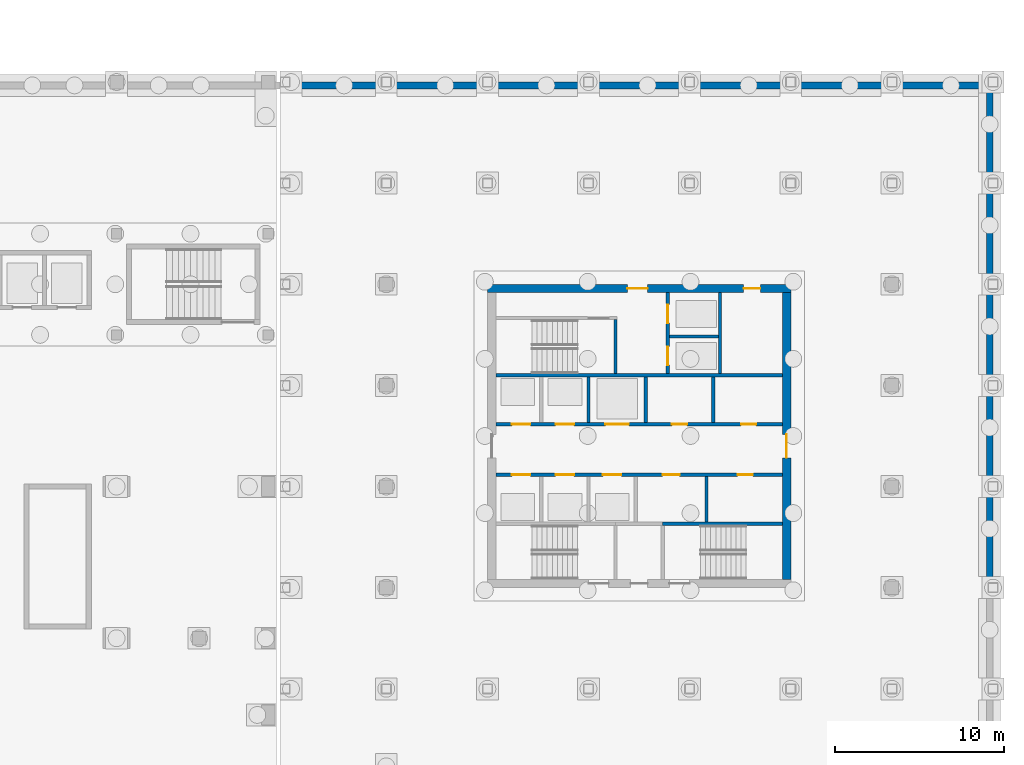
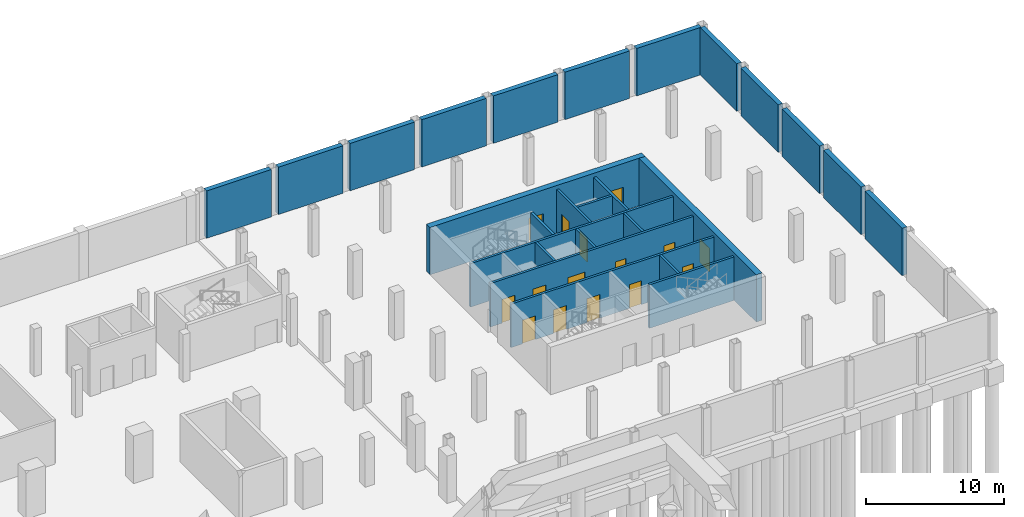
# One storey, part 17 of 29: 26 walls, 15 doors, 15 openings.
"""IFC4 building model written with IfcOpenShell, lengths in metres."""

from ifc_helpers import new_model, si_unit, direction, frame, frame_2d, origin, place, context, subcontext, project, spatial, rectangle, extrude, material, layer, layer_set, type_object, element, fill, save


model = new_model("IFC4")

# Units and contexts
model_context = context("Model", 3, precision=1e-05, world=origin(), true_north=direction((0.0, 1.0)))
body_context = subcontext(model_context, "Body", "Model", "MODEL_VIEW")
ifc_project = project(units=[si_unit("LENGTHUNIT", "METRE"), si_unit("AREAUNIT", "SQUARE_METRE"), si_unit("VOLUMEUNIT", "CUBIC_METRE"), si_unit("PLANEANGLEUNIT", "RADIAN"), si_unit("MASSUNIT", "GRAM", prefix="KILO")], contexts=[model_context])

# Site, building, storey
site_placement = place(None, origin())
site = spatial("IfcSite", under=ifc_project, at=site_placement, CompositionType="ELEMENT")
building_placement = place(site_placement, origin())
building = spatial("IfcBuilding", under=site, at=building_placement, Name="Aravalli Gate Trade Fair Centre", CompositionType="ELEMENT")
storey_placement = place(building_placement, frame((0.0, 0.0, -8.39990234375)))
storey = spatial("IfcBuildingStorey", under=building, at=storey_placement, Name="B2", CompositionType="ELEMENT", Elevation=-8.39990234375)

# Walls
ifc_material_1 = material(Name="Concrete M40", Category="concrete")
ifc_layer_1 = layer(ifc_material_1, 0.39990234375)
ifc_layer_set_1 = layer_set([ifc_layer_1], Name="Concrete M40")
wall_type_1 = type_object("IfcWallType", Name="Basement retaining wall 400", PredefinedType="SOLIDWALL", material=ifc_layer_set_1)
for number, where, z_axis, x_axis, name in (
    (1, (201.800048828125, 103.300048828125, 0.0), (0.0, 0.0, 1.0), (0.0, 1.0, 0.0), "Retaining wall E203 B2"),
    (2, (201.800048828125, 109.300048828125, 0.0), (0.0, 0.0, 1.0), (0.0, 1.0, 0.0), "Retaining wall E204 B2"),
    (3, (201.800048828125, 115.300048828125, 0.0), (0.0, 0.0, 1.0), (0.0, 1.0, 0.0), "Retaining wall E205 B2"),
    (4, (201.800048828125, 121.300048828125, 0.0), (0.0, 0.0, 1.0), (0.0, 1.0, 0.0), "Retaining wall E206 B2"),
):
    element("IfcWall", number, at=place(storey_placement, frame(where, z_axis=z_axis, x_axis=x_axis)), inside=storey, type_object=wall_type_1, Name=name, PredefinedType="SOLIDWALL", context=body_context, shape_type="SweptSolid", body=[
        extrude(rectangle(XDim=5.39990234375, YDim=0.39990234375, at=frame_2d((2.699951171875, 0.0))), origin(), (0.0, 0.0, 1.0), 4.199951171875),
    ])
wall_1_placement = place(storey_placement, frame((201.800048828125, 127.300048828125, 0.0), z_axis=(0.0, 0.0, 1.0), x_axis=(0.0, 1.0, 0.0)))
element("IfcWall", 5, at=wall_1_placement, inside=storey, type_object=wall_type_1, Name="Retaining wall E207 B2", PredefinedType="SOLIDWALL", context=body_context, shape_type="SweptSolid", body=[
    extrude(rectangle(XDim=5.300048828125, YDim=0.39990234375, at=frame_2d((2.64990234375, 0.0))), origin(), (0.0, 0.0, 1.0), 4.199951171875),
])
for number, where, z_axis, x_axis, name in (
    (6, (160.300048828125, 132.800048828125, 0.0), (0.0, 0.0, 1.0), (1.0, 0.0, 0.0), "Retaining wall N19 B2"),
    (7, (166.300048828125, 132.800048828125, 0.0), (0.0, 0.0, 1.0), (1.0, 0.0, 0.0), "Retaining wall N20 B2"),
    (8, (172.300048828125, 132.800048828125, 0.0), (0.0, 0.0, 1.0), (1.0, 0.0, 0.0), "Retaining wall N21 B2"),
    (9, (178.300048828125, 132.800048828125, 0.0), (0.0, 0.0, 1.0), (1.0, 0.0, 0.0), "Retaining wall N22 B2"),
    (10, (184.300048828125, 132.800048828125, 0.0), (0.0, 0.0, 1.0), (1.0, 0.0, 0.0), "Retaining wall N23 B2"),
    (11, (190.300048828125, 132.800048828125, 0.0), (0.0, 0.0, 1.0), (1.0, 0.0, 0.0), "Retaining wall N24 B2"),
    (12, (196.300048828125, 132.800048828125, 0.0), (0.0, 0.0, 1.0), (1.0, 0.0, 0.0), "Retaining wall N25 B2"),
):
    element("IfcWall", number, at=place(storey_placement, frame(where, z_axis=z_axis, x_axis=x_axis)), inside=storey, type_object=wall_type_1, Name=name, PredefinedType="SOLIDWALL", context=body_context, shape_type="SweptSolid", body=[
        extrude(rectangle(XDim=5.39990234375, YDim=0.39990234375, at=frame_2d((2.699951171875, 0.0))), origin(), (0.0, 0.0, 1.0), 4.199951171875),
    ])
ifc_material_2 = material(Name="Concrete M30", Category="concrete")
ifc_layer_2 = layer(ifc_material_2, 0.199951171875)
ifc_layer_set_2 = layer_set([ifc_layer_2], Name="Concrete M30")
wall_type_2 = type_object("IfcWallType", Name="Wing core internal wall 200 (EI 120, core wall)", PredefinedType="SOLIDWALL", material=ifc_layer_set_2)
wall_2_placement = place(storey_placement, frame((172.5, 115.60009765625, 0.0), z_axis=(0.0, 0.0, 1.0), x_axis=(1.0, 0.0, 0.0)))
element("IfcWall", 13, at=wall_2_placement, inside=storey, type_object=wall_type_2, Name="Core wall N-REAR B2", PredefinedType="SOLIDWALL", context=body_context, shape_type="SweptSolid", body=[
    extrude(rectangle(XDim=17.0, YDim=0.199951171875, at=frame_2d((8.5, 0.0))), origin(), (0.0, 0.0, 1.0), 3.849853515625),
])
ifc_layer_3 = layer(ifc_material_2, 0.199951171875)
ifc_layer_set_3 = layer_set([ifc_layer_3], Name="Concrete M30")
wall_type_3 = type_object("IfcWallType", Name="Wing core internal wall 200 (EI 120, firefighting shaft)", PredefinedType="SOLIDWALL", material=ifc_layer_set_3)
wall_3_placement = place(storey_placement, frame((179.60009765625, 115.699951171875, 0.0), z_axis=(0.0, 0.0, 1.0), x_axis=(0.0, 1.0, 0.0)))
element("IfcWall", 14, at=wall_3_placement, inside=storey, type_object=wall_type_3, Name="Core wall FF-AB B2", PredefinedType="SOLIDWALL", context=body_context, shape_type="SweptSolid", body=[
    extrude(rectangle(XDim=3.199951171875, YDim=0.199951171875, at=frame_2d((1.60009765625, 0.0))), origin(), (0.0, 0.0, 1.0), 3.849853515625),
])

# Wall, openings, doors
wall_4_placement = place(storey_placement, frame((182.699951171875, 115.699951171875, 0.0), z_axis=(0.0, 0.0, 1.0), x_axis=(0.0, 1.0, 0.0)))
wall_4 = element("IfcWall", 15, at=wall_4_placement, inside=storey, type_object=wall_type_3, Name="Core wall FF-BC B2", PredefinedType="SOLIDWALL", context=body_context, shape_type="SweptSolid", body=[
    extrude(rectangle(XDim=4.800048828125, YDim=0.199951171875, at=frame_2d((2.39990234375, 0.0))), origin(), (0.0, 0.0, 1.0), 3.849853515625),
])
opening_1_placement = place(wall_4_placement, frame((0.5, 0.0, 0.0)))
opening_1 = element("IfcOpeningElement", 16, at=opening_1_placement, cuts=wall_4, Name="Opening T-B2-132", PredefinedType="OPENING", context=body_context, shape_type="SweptSolid", body=[
    extrude(rectangle(XDim=1.10009765625, YDim=2.10009765625, at=frame_2d((0.550048828125, 1.050048828125))), frame((0.0, 0.10986328125, 0.0), z_axis=(0.0, -1.0, 0.0), x_axis=(1.0, 0.0, 0.0)), (0.0, 0.0, 1.0), 0.219970703125),
])
opening_2_placement = place(wall_4_placement, frame((3.0, 0.0, 0.0)))
opening_2 = element("IfcOpeningElement", 17, at=opening_2_placement, cuts=wall_4, Name="Opening T-B2-133", PredefinedType="OPENING", context=body_context, shape_type="SweptSolid", body=[
    extrude(rectangle(XDim=1.10009765625, YDim=2.10009765625, at=frame_2d((0.550048828125, 1.050048828125))), frame((0.0, 0.10986328125, 0.0), z_axis=(0.0, -1.0, 0.0), x_axis=(1.0, 0.0, 0.0)), (0.0, 0.0, 1.0), 0.219970703125),
])
ifc_material_3 = material(Name="Elevator door panels")
door_type_1 = type_object("IfcDoorType", Name="Wing lift landing door 1100 x 2100", OperationType="SLIDING_TO_LEFT", PredefinedType="DOOR", material=ifc_material_3)
door_1_placement = place(opening_1_placement, origin())
door_1 = element("IfcDoor", 18, at=door_1_placement, inside=storey, type_object=door_type_1, Name="Landing door T-B2-132", OperationType="SLIDING_TO_LEFT", OverallHeight=2.10009765625, OverallWidth=1.10009765625, PredefinedType="DOOR", context=body_context, shape_type="SweptSolid", body=[
    extrude(rectangle(XDim=1.10009765625, YDim=2.10009765625, at=frame_2d((0.550048828125, 1.050048828125))), frame((0.0, 0.02490234375, 0.0), z_axis=(0.0, -1.0, 0.0), x_axis=(1.0, 0.0, 0.0)), (0.0, 0.0, 1.0), 0.050048828125),
])
fill(opening_1, door_1)
door_2_placement = place(opening_2_placement, origin())
door_2 = element("IfcDoor", 19, at=door_2_placement, inside=storey, type_object=door_type_1, Name="Landing door T-B2-133", OperationType="SLIDING_TO_LEFT", OverallHeight=2.10009765625, OverallWidth=1.10009765625, PredefinedType="DOOR", context=body_context, shape_type="SweptSolid", body=[
    extrude(rectangle(XDim=1.10009765625, YDim=2.10009765625, at=frame_2d((0.550048828125, 1.050048828125))), frame((0.0, 0.02490234375, 0.0), z_axis=(0.0, -1.0, 0.0), x_axis=(1.0, 0.0, 0.0)), (0.0, 0.0, 1.0), 0.050048828125),
])
fill(opening_2, door_2)

# Walls
wall_5_placement = place(storey_placement, frame((182.800048828125, 117.89990234375, 0.0), z_axis=(0.0, 0.0, 1.0), x_axis=(1.0, 0.0, 0.0)))
element("IfcWall", 20, at=wall_5_placement, inside=storey, type_object=wall_type_3, Name="Core wall FF-MID B2", PredefinedType="SOLIDWALL", context=body_context, shape_type="SweptSolid", body=[
    extrude(rectangle(XDim=2.89990234375, YDim=0.199951171875, at=frame_2d((1.449951171875, 0.0))), origin(), (0.0, 0.0, 1.0), 3.849853515625),
])
wall_6_placement = place(storey_placement, frame((185.800048828125, 115.699951171875, 0.0), z_axis=(0.0, 0.0, 1.0), x_axis=(0.0, 1.0, 0.0)))
element("IfcWall", 21, at=wall_6_placement, inside=storey, type_object=wall_type_3, Name="Core wall FF-CD B2", PredefinedType="SOLIDWALL", context=body_context, shape_type="SweptSolid", body=[
    extrude(rectangle(XDim=4.800048828125, YDim=0.199951171875, at=frame_2d((2.39990234375, 0.0))), origin(), (0.0, 0.0, 1.0), 3.849853515625),
])
ifc_layer_4 = layer(ifc_material_2, 0.199951171875)
ifc_layer_set_4 = layer_set([ifc_layer_4], Name="Concrete M30")
wall_type_4 = type_object("IfcWallType", Name="Wing core internal wall 200 (EI 120, lift shaft)", PredefinedType="SOLIDWALL", material=ifc_layer_set_4)
wall_7_placement = place(storey_placement, frame((182.39990234375, 106.800048828125, 0.0), z_axis=(0.0, 0.0, 1.0), x_axis=(1.0, 0.0, 0.0)))
element("IfcWall", 22, at=wall_7_placement, inside=storey, type_object=wall_type_4, Name="Core wall S-REAR-E B2", PredefinedType="SOLIDWALL", context=body_context, shape_type="SweptSolid", body=[
    extrude(rectangle(XDim=7.10009765625, YDim=0.199951171875, at=frame_2d((3.550048828125, 0.0))), origin(), (0.0, 0.0, 1.0), 3.849853515625),
])

# Wall, openings, doors
wall_8_placement = place(storey_placement, frame((172.5, 109.699951171875, 0.0), z_axis=(0.0, 0.0, 1.0), x_axis=(1.0, 0.0, 0.0)))
wall_8 = element("IfcWall", 23, at=wall_8_placement, inside=storey, type_object=wall_type_4, Name="Core wall S-FRONT B2", PredefinedType="SOLIDWALL", context=body_context, shape_type="SweptSolid", body=[
    extrude(rectangle(XDim=17.0, YDim=0.199951171875, at=frame_2d((8.5, 0.0))), origin(), (0.0, 0.0, 1.0), 3.849853515625),
])
opening_3_placement = place(wall_8_placement, frame((0.949951171875, 0.0, 0.0)))
opening_3 = element("IfcOpeningElement", 24, at=opening_3_placement, cuts=wall_8, Name="Opening T-B2-111", PredefinedType="OPENING", context=body_context, shape_type="SweptSolid", body=[
    extrude(rectangle(XDim=1.10009765625, YDim=2.10009765625, at=frame_2d((0.550048828125, 1.050048828125))), frame((0.0, 0.10986328125, 0.0), z_axis=(0.0, -1.0, 0.0), x_axis=(1.0, 0.0, 0.0)), (0.0, 0.0, 1.0), 0.219970703125),
])
opening_4_placement = place(wall_8_placement, frame((3.550048828125, 0.0, 0.0)))
opening_4 = element("IfcOpeningElement", 25, at=opening_4_placement, cuts=wall_8, Name="Opening T-B2-112", PredefinedType="OPENING", context=body_context, shape_type="SweptSolid", body=[
    extrude(rectangle(XDim=1.10009765625, YDim=2.10009765625, at=frame_2d((0.550048828125, 1.050048828125))), frame((0.0, 0.10986328125, 0.0), z_axis=(0.0, -1.0, 0.0), x_axis=(1.0, 0.0, 0.0)), (0.0, 0.0, 1.0), 0.219970703125),
])
opening_5_placement = place(wall_8_placement, frame((6.35009765625, 0.0, 0.0)))
opening_5 = element("IfcOpeningElement", 26, at=opening_5_placement, cuts=wall_8, Name="Opening T-B2-113", PredefinedType="OPENING", context=body_context, shape_type="SweptSolid", body=[
    extrude(rectangle(XDim=1.10009765625, YDim=2.10009765625, at=frame_2d((0.550048828125, 1.050048828125))), frame((0.0, 0.10986328125, 0.0), z_axis=(0.0, -1.0, 0.0), x_axis=(1.0, 0.0, 0.0)), (0.0, 0.0, 1.0), 0.219970703125),
])
opening_6_placement = place(wall_8_placement, frame((9.89990234375, 0.0, 0.0)))
opening_6 = element("IfcOpeningElement", 27, at=opening_6_placement, cuts=wall_8, Name="Opening T-B2-114", PredefinedType="OPENING", context=body_context, shape_type="SweptSolid", body=[
    extrude(rectangle(XDim=1.0, YDim=2.10009765625, at=frame_2d((0.5, 1.050048828125))), frame((0.0, 0.10986328125, 0.0), z_axis=(0.0, -1.0, 0.0), x_axis=(1.0, 0.0, 0.0)), (0.0, 0.0, 1.0), 0.219970703125),
])
opening_7_placement = place(wall_8_placement, frame((14.35009765625, 0.0, 0.0)))
opening_7 = element("IfcOpeningElement", 28, at=opening_7_placement, cuts=wall_8, Name="Opening T-B2-115", PredefinedType="OPENING", context=body_context, shape_type="SweptSolid", body=[
    extrude(rectangle(XDim=0.89990234375, YDim=2.10009765625, at=frame_2d((0.449951171875, 1.050048828125))), frame((0.0, 0.10986328125, 0.0), z_axis=(0.0, -1.0, 0.0), x_axis=(1.0, 0.0, 0.0)), (0.0, 0.0, 1.0), 0.219970703125),
])
ifc_material_4 = material(Name="Steel, fire rated", Category="steel")
door_type_2 = type_object("IfcDoorType", Name="Wing fire door FD120 1000 x 2100", OperationType="SINGLE_SWING_LEFT", PredefinedType="DOOR", material=ifc_material_4)
door_3_placement = place(opening_6_placement, frame((1.0, 0.0, 0.0), z_axis=(0.0, 0.0, 1.0), x_axis=(-1.0, 0.0, 0.0)))
door_3 = element("IfcDoor", 29, at=door_3_placement, inside=storey, type_object=door_type_2, Name="Core door T-B2-114", OperationType="SINGLE_SWING_RIGHT", OverallHeight=2.10009765625, OverallWidth=1.0, PredefinedType="DOOR", context=body_context, shape_type="SweptSolid", body=[
    extrude(rectangle(XDim=1.0, YDim=2.10009765625, at=frame_2d((0.5, 1.050048828125))), frame((0.0, 0.02490234375, 0.0), z_axis=(0.0, -1.0, 0.0), x_axis=(1.0, 0.0, 0.0)), (0.0, 0.0, 1.0), 0.050048828125),
])
fill(opening_6, door_3)
door_type_3 = type_object("IfcDoorType", Name="Wing fire door FD120 900 x 2100", OperationType="SINGLE_SWING_LEFT", PredefinedType="DOOR", material=ifc_material_4)
door_4_placement = place(opening_7_placement, frame((0.89990234375, 0.0, 0.0), z_axis=(0.0, 0.0, 1.0), x_axis=(-1.0, 0.0, 0.0)))
door_4 = element("IfcDoor", 30, at=door_4_placement, inside=storey, type_object=door_type_3, Name="Core door T-B2-115", OperationType="SINGLE_SWING_LEFT", OverallHeight=2.10009765625, OverallWidth=0.89990234375, PredefinedType="DOOR", context=body_context, shape_type="SweptSolid", body=[
    extrude(rectangle(XDim=0.89990234375, YDim=2.10009765625, at=frame_2d((0.449951171875, 1.050048828125))), frame((0.0, 0.02490234375, 0.0), z_axis=(0.0, -1.0, 0.0), x_axis=(1.0, 0.0, 0.0)), (0.0, 0.0, 1.0), 0.050048828125),
])
fill(opening_7, door_4)
door_5_placement = place(opening_3_placement, origin())
door_5 = element("IfcDoor", 31, at=door_5_placement, inside=storey, type_object=door_type_1, Name="Landing door T-B2-111", OperationType="SLIDING_TO_LEFT", OverallHeight=2.10009765625, OverallWidth=1.10009765625, PredefinedType="DOOR", context=body_context, shape_type="SweptSolid", body=[
    extrude(rectangle(XDim=1.10009765625, YDim=2.10009765625, at=frame_2d((0.550048828125, 1.050048828125))), frame((0.0, 0.02490234375, 0.0), z_axis=(0.0, -1.0, 0.0), x_axis=(1.0, 0.0, 0.0)), (0.0, 0.0, 1.0), 0.050048828125),
])
fill(opening_3, door_5)
door_6_placement = place(opening_4_placement, origin())
door_6 = element("IfcDoor", 32, at=door_6_placement, inside=storey, type_object=door_type_1, Name="Landing door T-B2-112", OperationType="SLIDING_TO_LEFT", OverallHeight=2.10009765625, OverallWidth=1.10009765625, PredefinedType="DOOR", context=body_context, shape_type="SweptSolid", body=[
    extrude(rectangle(XDim=1.10009765625, YDim=2.10009765625, at=frame_2d((0.550048828125, 1.050048828125))), frame((0.0, 0.02490234375, 0.0), z_axis=(0.0, -1.0, 0.0), x_axis=(1.0, 0.0, 0.0)), (0.0, 0.0, 1.0), 0.050048828125),
])
fill(opening_4, door_6)
door_7_placement = place(opening_5_placement, origin())
door_7 = element("IfcDoor", 33, at=door_7_placement, inside=storey, type_object=door_type_1, Name="Landing door T-B2-113", OperationType="SLIDING_TO_LEFT", OverallHeight=2.10009765625, OverallWidth=1.10009765625, PredefinedType="DOOR", context=body_context, shape_type="SweptSolid", body=[
    extrude(rectangle(XDim=1.10009765625, YDim=2.10009765625, at=frame_2d((0.550048828125, 1.050048828125))), frame((0.0, 0.02490234375, 0.0), z_axis=(0.0, -1.0, 0.0), x_axis=(1.0, 0.0, 0.0)), (0.0, 0.0, 1.0), 0.050048828125),
])
fill(opening_5, door_7)

# Walls
for number, where, z_axis, x_axis, name in (
    (34, (178.0, 112.800048828125, 0.0), (0.0, 0.0, 1.0), (0.0, 1.0, 0.0), "Core wall NB-6.0 B2"),
    (35, (181.39990234375, 112.800048828125, 0.0), (0.0, 0.0, 1.0), (0.0, 1.0, 0.0), "Core wall NB-9 B2"),
):
    element("IfcWall", number, at=place(storey_placement, frame(where, z_axis=z_axis, x_axis=x_axis)), inside=storey, type_object=wall_type_4, Name=name, PredefinedType="SOLIDWALL", context=body_context, shape_type="SweptSolid", body=[
        extrude(rectangle(XDim=2.699951171875, YDim=0.199951171875, at=frame_2d((1.35009765625, 0.0))), origin(), (0.0, 0.0, 1.0), 3.849853515625),
    ])

# Wall, openings, doors
wall_9_placement = place(storey_placement, frame((172.5, 112.699951171875, 0.0), z_axis=(0.0, 0.0, 1.0), x_axis=(1.0, 0.0, 0.0)))
wall_9 = element("IfcWall", 36, at=wall_9_placement, inside=storey, type_object=wall_type_4, Name="Core wall N-FRONT B2", PredefinedType="SOLIDWALL", context=body_context, shape_type="SweptSolid", body=[
    extrude(rectangle(XDim=17.0, YDim=0.199951171875, at=frame_2d((8.5, 0.0))), origin(), (0.0, 0.0, 1.0), 3.849853515625),
])
opening_8_placement = place(wall_9_placement, frame((0.949951171875, 0.0, 0.0)))
opening_8 = element("IfcOpeningElement", 37, at=opening_8_placement, cuts=wall_9, Name="Opening T-B2-121", PredefinedType="OPENING", context=body_context, shape_type="SweptSolid", body=[
    extrude(rectangle(XDim=1.10009765625, YDim=2.10009765625, at=frame_2d((0.550048828125, 1.050048828125))), frame((0.0, 0.10986328125, 0.0), z_axis=(0.0, -1.0, 0.0), x_axis=(1.0, 0.0, 0.0)), (0.0, 0.0, 1.0), 0.219970703125),
])
opening_9_placement = place(wall_9_placement, frame((3.550048828125, 0.0, 0.0)))
opening_9 = element("IfcOpeningElement", 38, at=opening_9_placement, cuts=wall_9, Name="Opening T-B2-122", PredefinedType="OPENING", context=body_context, shape_type="SweptSolid", body=[
    extrude(rectangle(XDim=1.10009765625, YDim=2.10009765625, at=frame_2d((0.550048828125, 1.050048828125))), frame((0.0, 0.10986328125, 0.0), z_axis=(0.0, -1.0, 0.0), x_axis=(1.0, 0.0, 0.0)), (0.0, 0.0, 1.0), 0.219970703125),
])
opening_10_placement = place(wall_9_placement, frame((6.5, 0.0, 0.0)))
opening_10 = element("IfcOpeningElement", 39, at=opening_10_placement, cuts=wall_9, Name="Opening T-B2-123", PredefinedType="OPENING", context=body_context, shape_type="SweptSolid", body=[
    extrude(rectangle(XDim=1.39990234375, YDim=2.10009765625, at=frame_2d((0.699951171875, 1.050048828125))), frame((0.0, 0.10986328125, 0.0), z_axis=(0.0, -1.0, 0.0), x_axis=(1.0, 0.0, 0.0)), (0.0, 0.0, 1.0), 0.219970703125),
])
opening_11_placement = place(wall_9_placement, frame((10.449951171875, 0.0, 0.0)))
opening_11 = element("IfcOpeningElement", 40, at=opening_11_placement, cuts=wall_9, Name="Opening T-B2-124", PredefinedType="OPENING", context=body_context, shape_type="SweptSolid", body=[
    extrude(rectangle(XDim=0.89990234375, YDim=2.10009765625, at=frame_2d((0.449951171875, 1.050048828125))), frame((0.0, 0.10986328125, 0.0), z_axis=(0.0, -1.0, 0.0), x_axis=(1.0, 0.0, 0.0)), (0.0, 0.0, 1.0), 0.219970703125),
])
opening_12_placement = place(wall_9_placement, frame((14.550048828125, 0.0, 0.0)))
opening_12 = element("IfcOpeningElement", 41, at=opening_12_placement, cuts=wall_9, Name="Opening T-B2-125", PredefinedType="OPENING", context=body_context, shape_type="SweptSolid", body=[
    extrude(rectangle(XDim=0.89990234375, YDim=2.10009765625, at=frame_2d((0.449951171875, 1.050048828125))), frame((0.0, 0.10986328125, 0.0), z_axis=(0.0, -1.0, 0.0), x_axis=(1.0, 0.0, 0.0)), (0.0, 0.0, 1.0), 0.219970703125),
])
door_8_placement = place(opening_11_placement, origin())
door_8 = element("IfcDoor", 42, at=door_8_placement, inside=storey, type_object=door_type_3, Name="Core door T-B2-124", OperationType="SINGLE_SWING_LEFT", OverallHeight=2.10009765625, OverallWidth=0.89990234375, PredefinedType="DOOR", context=body_context, shape_type="SweptSolid", body=[
    extrude(rectangle(XDim=0.89990234375, YDim=2.10009765625, at=frame_2d((0.449951171875, 1.050048828125))), frame((0.0, 0.02490234375, 0.0), z_axis=(0.0, -1.0, 0.0), x_axis=(1.0, 0.0, 0.0)), (0.0, 0.0, 1.0), 0.050048828125),
])
fill(opening_11, door_8)
door_9_placement = place(opening_12_placement, origin())
door_9 = element("IfcDoor", 43, at=door_9_placement, inside=storey, type_object=door_type_3, Name="Core door T-B2-125", OperationType="SINGLE_SWING_RIGHT", OverallHeight=2.10009765625, OverallWidth=0.89990234375, PredefinedType="DOOR", context=body_context, shape_type="SweptSolid", body=[
    extrude(rectangle(XDim=0.89990234375, YDim=2.10009765625, at=frame_2d((0.449951171875, 1.050048828125))), frame((0.0, 0.02490234375, 0.0), z_axis=(0.0, -1.0, 0.0), x_axis=(1.0, 0.0, 0.0)), (0.0, 0.0, 1.0), 0.050048828125),
])
fill(opening_12, door_9)
door_10_placement = place(opening_8_placement, origin())
door_10 = element("IfcDoor", 44, at=door_10_placement, inside=storey, type_object=door_type_1, Name="Landing door T-B2-121", OperationType="SLIDING_TO_LEFT", OverallHeight=2.10009765625, OverallWidth=1.10009765625, PredefinedType="DOOR", context=body_context, shape_type="SweptSolid", body=[
    extrude(rectangle(XDim=1.10009765625, YDim=2.10009765625, at=frame_2d((0.550048828125, 1.050048828125))), frame((0.0, 0.02490234375, 0.0), z_axis=(0.0, -1.0, 0.0), x_axis=(1.0, 0.0, 0.0)), (0.0, 0.0, 1.0), 0.050048828125),
])
fill(opening_8, door_10)
door_11_placement = place(opening_9_placement, origin())
door_11 = element("IfcDoor", 45, at=door_11_placement, inside=storey, type_object=door_type_1, Name="Landing door T-B2-122", OperationType="SLIDING_TO_LEFT", OverallHeight=2.10009765625, OverallWidth=1.10009765625, PredefinedType="DOOR", context=body_context, shape_type="SweptSolid", body=[
    extrude(rectangle(XDim=1.10009765625, YDim=2.10009765625, at=frame_2d((0.550048828125, 1.050048828125))), frame((0.0, 0.02490234375, 0.0), z_axis=(0.0, -1.0, 0.0), x_axis=(1.0, 0.0, 0.0)), (0.0, 0.0, 1.0), 0.050048828125),
])
fill(opening_9, door_11)
door_type_4 = type_object("IfcDoorType", Name="Wing lift landing door 1400 x 2100", OperationType="SLIDING_TO_LEFT", PredefinedType="DOOR", material=ifc_material_3)
door_12_placement = place(opening_10_placement, origin())
door_12 = element("IfcDoor", 46, at=door_12_placement, inside=storey, type_object=door_type_4, Name="Landing door T-B2-123", OperationType="SLIDING_TO_LEFT", OverallHeight=2.10009765625, OverallWidth=1.39990234375, PredefinedType="DOOR", context=body_context, shape_type="SweptSolid", body=[
    extrude(rectangle(XDim=1.39990234375, YDim=2.10009765625, at=frame_2d((0.699951171875, 1.050048828125))), frame((0.0, 0.02490234375, 0.0), z_axis=(0.0, -1.0, 0.0), x_axis=(1.0, 0.0, 0.0)), (0.0, 0.0, 1.0), 0.050048828125),
])
fill(opening_10, door_12)

# Walls
ifc_material_5 = material(Name="Concrete block masonry", Category="masonry")
ifc_layer_5 = layer(ifc_material_5, 0.199951171875)
ifc_layer_set_5 = layer_set([ifc_layer_5], Name="Concrete block masonry")
wall_type_5 = type_object("IfcWallType", Name="Wing core internal wall 200 (EI 120, riser shaft)", PredefinedType="SOLIDWALL", material=ifc_layer_set_5)
wall_10_placement = place(storey_placement, frame((185.0, 106.89990234375, 0.0), z_axis=(0.0, 0.0, 1.0), x_axis=(0.0, 1.0, 0.0)))
element("IfcWall", 47, at=wall_10_placement, inside=storey, type_object=wall_type_5, Name="Core wall SB-13 B2", PredefinedType="SOLIDWALL", context=body_context, shape_type="SweptSolid", body=[
    extrude(rectangle(XDim=2.7001953125, YDim=0.199951171875, at=frame_2d((1.35009765625, 0.0))), origin(), (0.0, 0.0, 1.0), 3.849853515625),
])
wall_11_placement = place(storey_placement, frame((185.39990234375, 112.800048828125, 0.0), z_axis=(0.0, 0.0, 1.0), x_axis=(0.0, 1.0, 0.0)))
element("IfcWall", 48, at=wall_11_placement, inside=storey, type_object=wall_type_5, Name="Core wall NB-13 B2", PredefinedType="SOLIDWALL", context=body_context, shape_type="SweptSolid", body=[
    extrude(rectangle(XDim=2.699951171875, YDim=0.199951171875, at=frame_2d((1.35009765625, 0.0))), origin(), (0.0, 0.0, 1.0), 3.849853515625),
])

# Wall, openings, doors
ifc_material_6 = material(Name="Concrete M50", Category="concrete")
ifc_layer_6 = layer(ifc_material_6, 0.5)
ifc_layer_set_6 = layer_set([ifc_layer_6], Name="Concrete M50")
wall_type_6 = type_object("IfcWallType", Name="Wing core shear wall 500", PredefinedType="SHEAR", material=ifc_layer_set_6)
wall_12_placement = place(storey_placement, frame((172.0, 120.75, 0.0), z_axis=(0.0, 0.0, 1.0), x_axis=(1.0, 0.0, 0.0)))
wall_12 = element("IfcWall", 49, at=wall_12_placement, inside=storey, type_object=wall_type_6, Name="Core wall N B2", PredefinedType="SHEAR", context=body_context, shape_type="SweptSolid", body=[
    extrude(rectangle(XDim=18.0, YDim=0.5, at=frame_2d((9.0, 0.0))), origin(), (0.0, 0.0, 1.0), 4.199951171875),
])
opening_13_placement = place(wall_12_placement, frame((8.300048828125, 0.0, 0.0)))
opening_13 = element("IfcOpeningElement", 50, at=opening_13_placement, cuts=wall_12, Name="Opening T-B2-104", PredefinedType="OPENING", context=body_context, shape_type="SweptSolid", body=[
    extrude(rectangle(XDim=1.199951171875, YDim=2.10009765625, at=frame_2d((0.60009765625, 1.050048828125))), frame((0.0, 0.260009765625, 0.0), z_axis=(0.0, -1.0, 0.0), x_axis=(1.0, 0.0, 0.0)), (0.0, 0.0, 1.0), 0.52001953125),
])
opening_14_placement = place(wall_12_placement, frame((15.199951171875, 0.0, 0.0)))
opening_14 = element("IfcOpeningElement", 51, at=opening_14_placement, cuts=wall_12, Name="Opening T-B2-105", PredefinedType="OPENING", context=body_context, shape_type="SweptSolid", body=[
    extrude(rectangle(XDim=1.0, YDim=2.10009765625, at=frame_2d((0.5, 1.050048828125))), frame((0.0, 0.260009765625, 0.0), z_axis=(0.0, -1.0, 0.0), x_axis=(1.0, 0.0, 0.0)), (0.0, 0.0, 1.0), 0.52001953125),
])
door_13_placement = place(opening_14_placement, frame((1.0, 0.0, 0.0), z_axis=(0.0, 0.0, 1.0), x_axis=(-1.0, 0.0, 0.0)))
door_13 = element("IfcDoor", 52, at=door_13_placement, inside=storey, type_object=door_type_2, Name="Core door T-B2-105", OperationType="SINGLE_SWING_LEFT", OverallHeight=2.10009765625, OverallWidth=1.0, PredefinedType="DOOR", context=body_context, shape_type="SweptSolid", body=[
    extrude(rectangle(XDim=1.0, YDim=2.10009765625, at=frame_2d((0.5, 1.050048828125))), frame((0.0, 0.02490234375, 0.0), z_axis=(0.0, -1.0, 0.0), x_axis=(1.0, 0.0, 0.0)), (0.0, 0.0, 1.0), 0.050048828125),
])
fill(opening_14, door_13)
door_type_5 = type_object("IfcDoorType", Name="Wing fire door FD120 1200 x 2100", OperationType="SINGLE_SWING_LEFT", PredefinedType="DOOR", material=ifc_material_4)
door_14_placement = place(opening_13_placement, origin())
door_14 = element("IfcDoor", 53, at=door_14_placement, inside=storey, type_object=door_type_5, Name="Core door T-B2-104", OperationType="SINGLE_SWING_LEFT", OverallHeight=2.10009765625, OverallWidth=1.199951171875, PredefinedType="DOOR", context=body_context, shape_type="SweptSolid", body=[
    extrude(rectangle(XDim=1.199951171875, YDim=2.10009765625, at=frame_2d((0.60009765625, 1.050048828125))), frame((0.0, 0.02490234375, 0.0), z_axis=(0.0, -1.0, 0.0), x_axis=(1.0, 0.0, 0.0)), (0.0, 0.0, 1.0), 0.050048828125),
])
fill(opening_13, door_14)

# Wall, opening, door
wall_13_placement = place(storey_placement, frame((189.75, 103.5, 0.0), z_axis=(0.0, 0.0, 1.0), x_axis=(0.0, 1.0, 0.0)))
wall_13 = element("IfcWall", 54, at=wall_13_placement, inside=storey, type_object=wall_type_6, Name="Core wall E B2", PredefinedType="SHEAR", context=body_context, shape_type="SweptSolid", body=[
    extrude(rectangle(XDim=17.0, YDim=0.5, at=frame_2d((8.5, 0.0))), origin(), (0.0, 0.0, 1.0), 4.199951171875),
])
opening_15_placement = place(wall_13_placement, frame((7.199951171875, 0.0, 0.0)))
opening_15 = element("IfcOpeningElement", 55, at=opening_15_placement, cuts=wall_13, Name="Opening T-B2-107", PredefinedType="OPENING", context=body_context, shape_type="SweptSolid", body=[
    extrude(rectangle(XDim=1.39990234375, YDim=2.10009765625, at=frame_2d((0.699951171875, 1.050048828125))), frame((0.0, 0.260009765625, 0.0), z_axis=(0.0, -1.0, 0.0), x_axis=(1.0, 0.0, 0.0)), (0.0, 0.0, 1.0), 0.52001953125),
])
door_type_6 = type_object("IfcDoorType", Name="Wing fire door FD120 1400 x 2100", OperationType="DOUBLE_DOOR_SINGLE_SWING", PredefinedType="DOOR", material=ifc_material_4)
door_15_placement = place(opening_15_placement, frame((1.39990234375, 0.0, 0.0), z_axis=(0.0, 0.0, 1.0), x_axis=(-1.0, 0.0, 0.0)))
door_15 = element("IfcDoor", 56, at=door_15_placement, inside=storey, type_object=door_type_6, Name="Core door T-B2-107", OperationType="DOUBLE_DOOR_SINGLE_SWING", OverallHeight=2.10009765625, OverallWidth=1.39990234375, PredefinedType="DOOR", context=body_context, shape_type="SweptSolid", body=[
    extrude(rectangle(XDim=1.39990234375, YDim=2.10009765625, at=frame_2d((0.699951171875, 1.050048828125))), frame((0.0, 0.02490234375, 0.0), z_axis=(0.0, -1.0, 0.0), x_axis=(1.0, 0.0, 0.0)), (0.0, 0.0, 1.0), 0.050048828125),
])
fill(opening_15, door_15)

save(model, "model.ifc")
